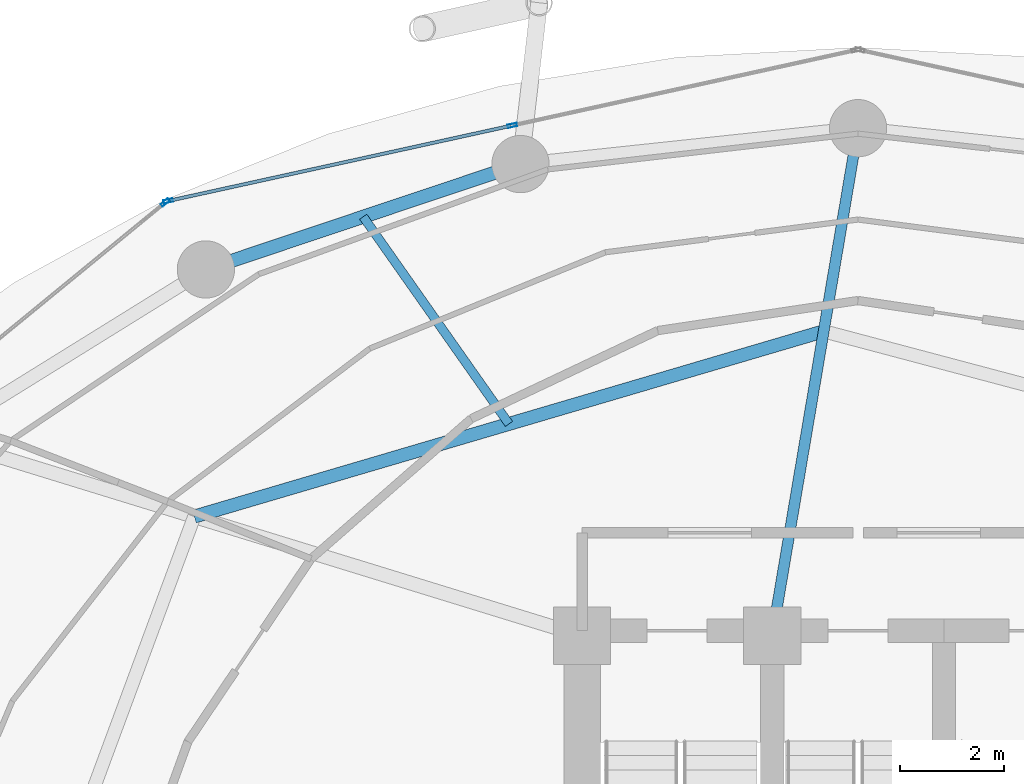
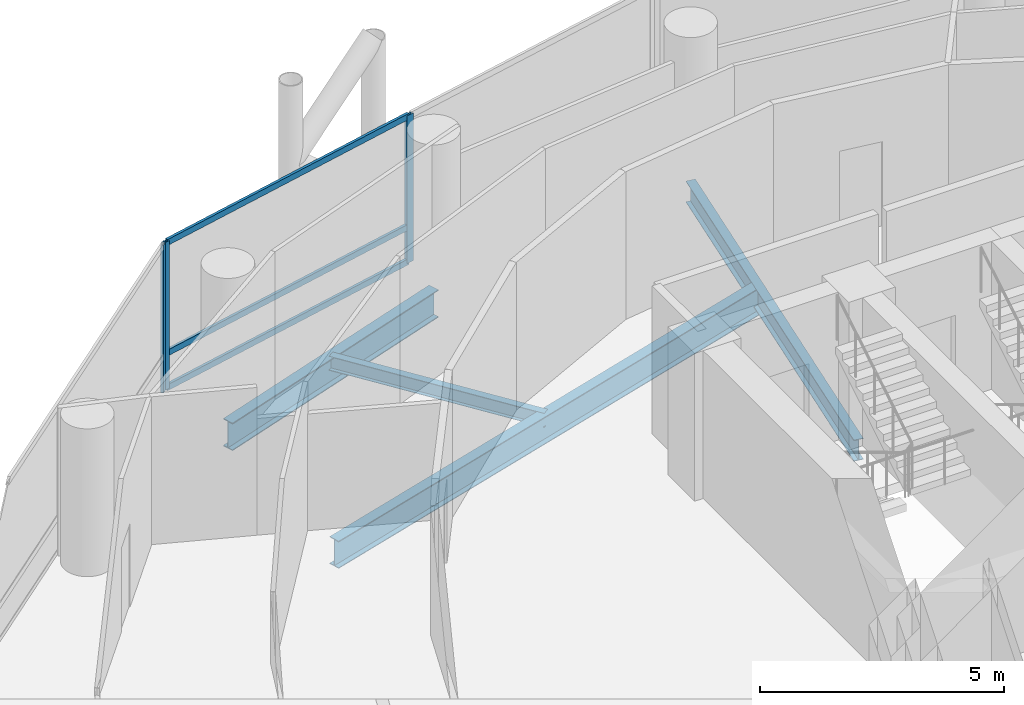
# One storey, part 15 of 27: 6 members, 4 beams, 2 elements without a shape of their own.
"""IFC4 building model written with IfcOpenShell, lengths in metres."""

from ifc_helpers import new_model, si_unit, direction, frame, origin, origin_2d, place, context, subcontext, project, spatial, hollow_rectangle, i_section, extrude, material, layer, layer_set, material_profile, profile_set, type_object, element, aggregate, save


model = new_model("IFC4")

# Units and contexts
model_context = context("Model", 3, precision=1e-05, world=origin(), true_north=direction((0.0, 1.0)))
body_context = subcontext(model_context, "Body", "Model", "MODEL_VIEW")
ifc_project = project(units=[si_unit("LENGTHUNIT", "METRE"), si_unit("AREAUNIT", "SQUARE_METRE"), si_unit("VOLUMEUNIT", "CUBIC_METRE"), si_unit("PLANEANGLEUNIT", "RADIAN"), si_unit("MASSUNIT", "GRAM", prefix="KILO")], contexts=[model_context])

# Site, building, storey
site_placement = place(None, origin())
site = spatial("IfcSite", under=ifc_project, at=site_placement, CompositionType="ELEMENT")
building_placement = place(site_placement, origin())
building = spatial("IfcBuilding", under=site, at=building_placement, Name="Nuhasar Tower", CompositionType="ELEMENT")
storey_placement = place(building_placement, frame((0.0, 0.0, 102.0)))
storey = spatial("IfcBuildingStorey", under=building, at=storey_placement, Name="L24", CompositionType="ELEMENT", Elevation=102.0)

# Beams
ifc_material_1 = material(Name="Steel S355", Category="steel")
ifc_material_profile_1 = material_profile(ifc_material_1, i_section(OverallWidth=0.25390625, OverallDepth=0.68408203125, WebThickness=0.012451171875, FlangeThickness=0.018798828125, at=origin_2d()), Name="W27X94")
ifc_profile_set_1 = profile_set([ifc_material_profile_1], Name="Steel S355")
beam_type_1 = type_object("IfcBeamType", Name="BM-INRING-W27X94", PredefinedType="BEAM", material=ifc_profile_set_1)
beam_1_placement = place(storey_placement, frame((38.340087890625, 43.14990234375, -0.592041015625), z_axis=(-0.959290190666, -0.28242225495, 0.0), x_axis=(0.28242225495, -0.959290190666, 0.0)))
element("IfcBeam", 1, at=beam_1_placement, inside=storey, type_object=beam_type_1, Name="L24 Inner Header Beam 06", PredefinedType="BEAM", context=body_context, shape_type="SweptSolid", body=[
    extrude(i_section(OverallWidth=0.25390625, OverallDepth=0.68408203125, WebThickness=0.012451171875, FlangeThickness=0.018798828125, at=origin_2d()), origin(), (0.0, 0.0, 1.0), 12.60107421875),
])
ifc_material_profile_2 = material_profile(ifc_material_1, i_section(OverallWidth=0.1708984375, OverallDepth=0.35205078125, WebThickness=0.0068359375, FlangeThickness=0.009765625, at=origin_2d()), Name="W14X30")
ifc_profile_set_2 = profile_set([ifc_material_profile_2], Name="Steel S355")
beam_type_2 = type_object("IfcBeamType", Name="BM-JST-W14X30", PredefinedType="JOIST", material=ifc_profile_set_2)
beam_2_placement = place(storey_placement, frame((32.2958984375, 41.3701171875, -0.426025390625), z_axis=(-0.575461088141, 0.817829160666, 0.0), x_axis=(-0.817829160666, -0.575461088141, 0.0)))
element("IfcBeam", 2, at=beam_2_placement, inside=storey, type_object=beam_type_2, Name="L24 Secondary Floor Joist 06", PredefinedType="JOIST", context=body_context, shape_type="SweptSolid", body=[
    extrude(i_section(OverallWidth=0.1708984375, OverallDepth=0.35205078125, WebThickness=0.0068359375, FlangeThickness=0.009765625, at=origin_2d()), origin(), (0.0, 0.0, 1.0), 4.865234375),
])
ifc_material_profile_3 = material_profile(ifc_material_1, i_section(OverallWidth=0.208984375, OverallDepth=0.532958984375, WebThickness=0.01025390625, FlangeThickness=0.015625, at=origin_2d()), Name="W21X62")
ifc_profile_set_3 = profile_set([ifc_material_profile_3], Name="Steel S355")
beam_type_3 = type_object("IfcBeamType", Name="BM-RAD-W21X62", PredefinedType="BEAM", material=ifc_profile_set_3)
beam_3_placement = place(storey_placement, frame((37.35009765625, 37.300048828125, -0.51611328125), z_axis=(0.166848703013, 0.98598251014, 0.0), x_axis=(-0.98598251014, 0.166848703013, 0.0)))
element("IfcBeam", 3, at=beam_3_placement, inside=storey, type_object=beam_type_3, Name="L24 Radial Floor Girder 06", PredefinedType="BEAM", context=body_context, shape_type="SweptSolid", body=[
    extrude(i_section(OverallWidth=0.208984375, OverallDepth=0.532958984375, WebThickness=0.01025390625, FlangeThickness=0.015625, at=origin_2d()), origin(), (0.0, 0.0, 1.0), 9.888671875),
])
ifc_material_profile_4 = material_profile(ifc_material_1, i_section(OverallWidth=0.256103515625, OverallDepth=0.693115234375, WebThickness=0.014404296875, FlangeThickness=0.023681640625, at=origin_2d()), Name="W27X114")
ifc_profile_set_4 = profile_set([ifc_material_profile_4], Name="Steel S355")
beam_type_4 = type_object("IfcBeamType", Name="BM-RING-W27X114", PredefinedType="SPANDREL", material=ifc_profile_set_4)
beam_4_placement = place(storey_placement, frame((32.51708984375, 46.360107421875, -0.596923828125), z_axis=(-0.948249435708, -0.317526388949, 0.0), x_axis=(0.317526388949, -0.948249435708, 0.0)))
element("IfcBeam", 4, at=beam_4_placement, inside=storey, type_object=beam_type_4, Name="L24 Perimeter Ring Spandrel 08", PredefinedType="SPANDREL", context=body_context, shape_type="SweptSolid", body=[
    extrude(i_section(OverallWidth=0.256103515625, OverallDepth=0.693115234375, WebThickness=0.014404296875, FlangeThickness=0.023681640625, at=origin_2d()), origin(), (0.0, 0.0, 1.0), 6.371826171875),
])

# Curtain wall, members
ifc_material_2 = material(Name="Aluminium 6063-T6", Category="aluminium")
ifc_layer = layer(ifc_material_2, 0.199951171875)
ifc_layer_set = layer_set([ifc_layer], Name="Aluminium 6063-T6")
curtain_wall_type = type_object("IfcCurtainWallType", Name="CW-Z1-OFF", PredefinedType="NOTDEFINED", material=ifc_layer_set)
curtain_wall_1_placement = place(storey_placement, origin())
curtain_wall_1 = element("IfcCurtainWall", 5, at=curtain_wall_1_placement, inside=storey, type_object=curtain_wall_type, Name="L24 Unitised Curtain Wall 04", PredefinedType="NOTDEFINED")
ifc_material_profile_5 = material_profile(ifc_material_2, hollow_rectangle(XDim=0.06494140625, YDim=0.179931640625, WallThickness=0.0048828125, at=origin_2d()), Name="CWM-2")
ifc_profile_set_5 = profile_set([ifc_material_profile_5], Name="Aluminium 6063-T6")
member_type_1 = type_object("IfcMemberType", Name="CW-MUL-S2", PredefinedType="MULLION", material=ifc_profile_set_5)
member_1_placement = place(storey_placement, frame((32.360107421875, 47.1025390625, 0.0), z_axis=(0.0, 0.0, 1.0), x_axis=(0.214398737637, -0.976746221544, 0.0)))
member_1 = element("IfcMember", 6, at=member_1_placement, type_object=member_type_1, Name="CW-Z1 mullion 2", PredefinedType="MULLION", context=body_context, shape_type="SweptSolid", body=[
    extrude(hollow_rectangle(XDim=0.06494140625, YDim=0.179931640625, WallThickness=0.0048828125, at=origin_2d()), origin(), (0.0, 0.0, 1.0), 3.699951171875),
])
member_2_placement = place(storey_placement, frame((25.751708984375, 45.65185546875, 0.0), z_axis=(0.0, 0.0, 1.0), x_axis=(0.214398737637, -0.976746221544, 0.0)))
member_2 = element("IfcMember", 7, at=member_2_placement, type_object=member_type_1, Name="CW-Z1 mullion 3", PredefinedType="MULLION", context=body_context, shape_type="SweptSolid", body=[
    extrude(hollow_rectangle(XDim=0.06494140625, YDim=0.179931640625, WallThickness=0.0048828125, at=origin_2d()), origin(), (0.0, 0.0, 1.0), 3.699951171875),
])

# Curtain wall, member
curtain_wall_2_placement = place(storey_placement, origin())
curtain_wall_2 = element("IfcCurtainWall", 8, at=curtain_wall_2_placement, inside=storey, type_object=curtain_wall_type, Name="L24 Unitised Curtain Wall 05", PredefinedType="NOTDEFINED")
member_3_placement = place(storey_placement, frame((25.69482421875, 45.62451171875, 0.0), z_axis=(0.0, 0.0, 1.0), x_axis=(0.633744593376, -0.773542364946, 0.0)))
member_3 = element("IfcMember", 9, at=member_3_placement, type_object=member_type_1, Name="CW-Z1 mullion 1", PredefinedType="MULLION", context=body_context, shape_type="SweptSolid", body=[
    extrude(hollow_rectangle(XDim=0.06494140625, YDim=0.179931640625, WallThickness=0.0048828125, at=origin_2d()), origin(), (0.0, 0.0, 1.0), 3.699951171875),
])
aggregate(curtain_wall_2, [member_3])

# Member
ifc_material_profile_6 = material_profile(ifc_material_2, hollow_rectangle(XDim=0.06494140625, YDim=0.14990234375, WallThickness=0.00439453125, at=origin_2d()), Name="CWT-2")
ifc_profile_set_6 = profile_set([ifc_material_profile_6], Name="Aluminium 6063-T6")
member_type_2 = type_object("IfcMemberType", Name="CW-TRN-S2", PredefinedType="USERDEFINED", material=ifc_profile_set_6)
member_4_placement = place(storey_placement, frame((32.328369140625, 47.095458984375, 0.032470703125), z_axis=(-0.976749553792, -0.214383556196, 0.0), x_axis=(0.214383556196, -0.976749553792, 0.0)))
member_4 = element("IfcMember", 10, at=member_4_placement, type_object=member_type_2, Name="CW-Z1 transom 2.1", ObjectType="TRANSOM", PredefinedType="USERDEFINED", context=body_context, shape_type="SweptSolid", body=[
    extrude(hollow_rectangle(XDim=0.06494140625, YDim=0.14990234375, WallThickness=0.00439453125, at=origin_2d()), origin(), (0.0, 0.0, 1.0), 6.70068359375),
])

member_5_placement = place(storey_placement, frame((32.328369140625, 47.095458984375, 0.89990234375), z_axis=(-0.976749553792, -0.214383556196, 0.0), x_axis=(0.214383556196, -0.976749553792, 0.0)))
member_5 = element("IfcMember", 11, at=member_5_placement, type_object=member_type_2, Name="CW-Z1 transom 2.2", ObjectType="TRANSOM", PredefinedType="USERDEFINED", context=body_context, shape_type="SweptSolid", body=[
    extrude(hollow_rectangle(XDim=0.06494140625, YDim=0.14990234375, WallThickness=0.00439453125, at=origin_2d()), origin(), (0.0, 0.0, 1.0), 6.70068359375),
])

member_6_placement = place(storey_placement, frame((32.328369140625, 47.095458984375, 3.66748046875), z_axis=(-0.976749553792, -0.214383556196, 0.0), x_axis=(0.214383556196, -0.976749553792, 0.0)))
member_6 = element("IfcMember", 12, at=member_6_placement, type_object=member_type_2, Name="CW-Z1 transom 2.3", ObjectType="TRANSOM", PredefinedType="USERDEFINED", context=body_context, shape_type="SweptSolid", body=[
    extrude(hollow_rectangle(XDim=0.06494140625, YDim=0.14990234375, WallThickness=0.00439453125, at=origin_2d()), origin(), (0.0, 0.0, 1.0), 6.70068359375),
])

aggregate(curtain_wall_1, [member_1, member_2, member_4, member_5, member_6])

save(model, "model.ifc")
